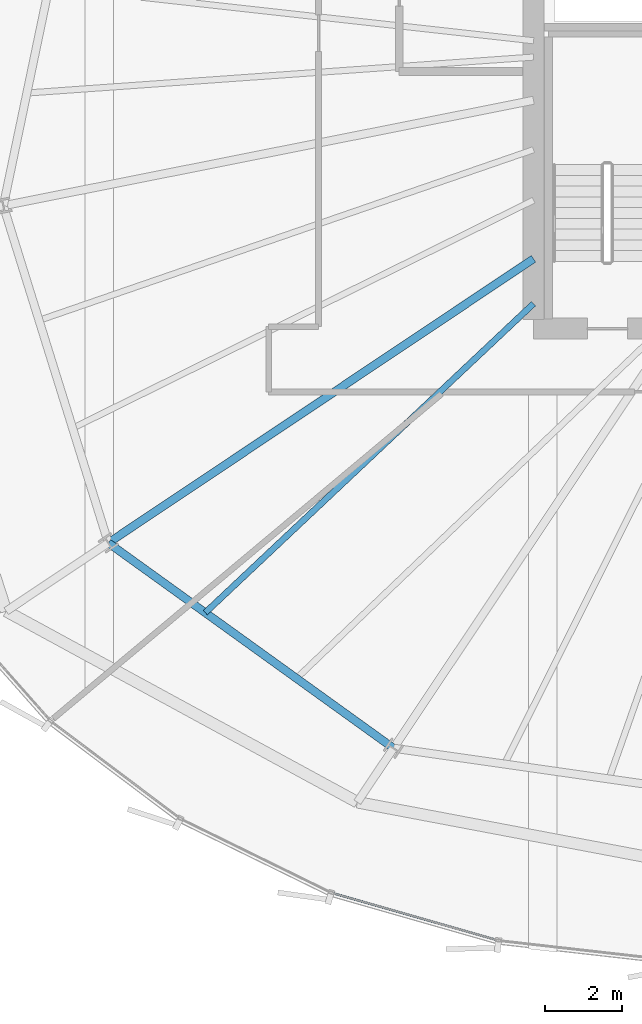
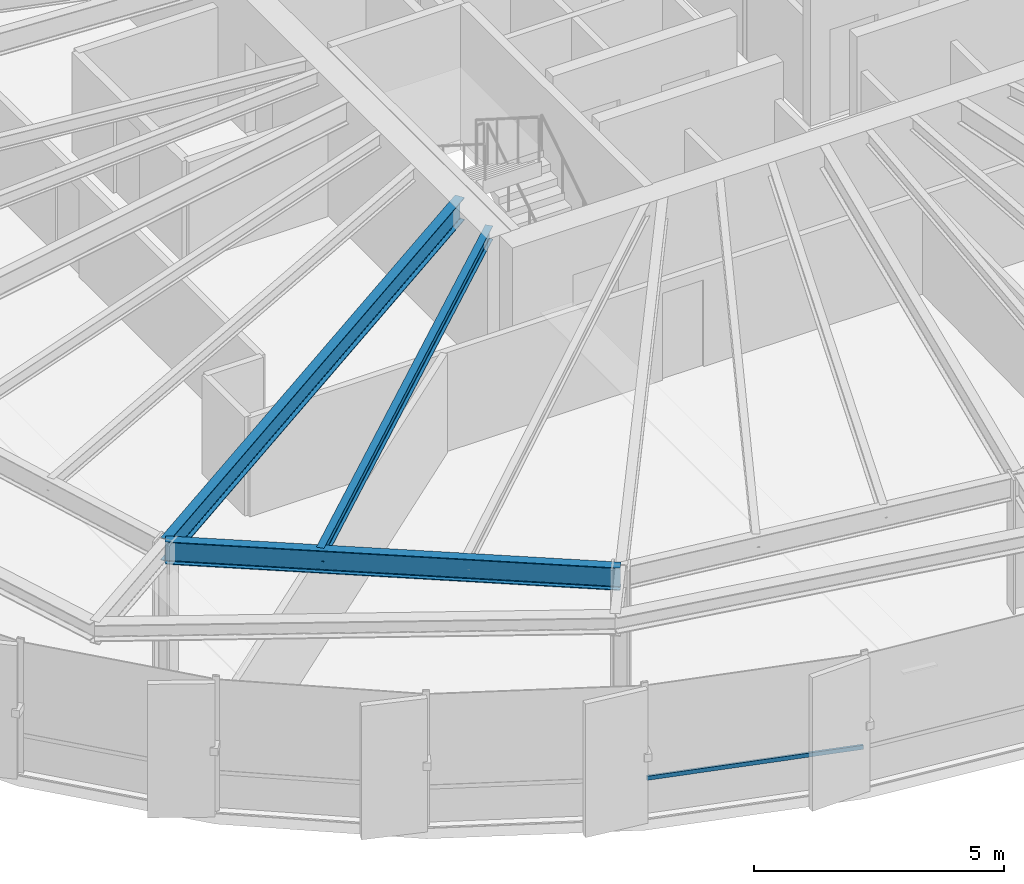
# One storey, part 4 of 34: 3 beams, 1 member, 1 element without a shape of its own.
"""IFC4 building model written with IfcOpenShell, lengths in metres."""

import ifcopenshell
import ifcopenshell.guid

model = None  # the IFC model being written
_history = None  # IfcOwnerHistory: only IFC2X3 demands one
_inside = {}  # id of a spatial element -> (the spatial element, [elements in it])
_under = {}  # id of a project, library or spatial element -> (it, [spatial elements below it])
_declared = {}  # id of a project -> (the project, [libraries it declares])
_typed = {}  # id of a type object -> (the type object, [elements of that type])
_made_of = {}  # id of a material, layer set ... -> (it, [elements and type objects made of it])


def new_model(schema):
    """Start an empty IFC model of exactly this schema.

    Asked for "IFC4X3", IfcOpenShell would pick the latest addendum, in which some entities
    have other attributes; the version numbers below select the first issue.
    IFC2X3 requires an IfcOwnerHistory on every rooted entity: one is made here for all.
    """
    global model, _history
    if schema == "IFC4X3":
        model = ifcopenshell.file(schema_version=(4, 3, 0, 0))
    else:
        model = ifcopenshell.file(schema=schema)
    _inside.clear()
    _under.clear()
    _declared.clear()
    _typed.clear()
    _made_of.clear()
    _history = None
    if model.schema == "IFC2X3":
        org = make("IfcOrganization", Name="unknown")
        user = make(
            "IfcPersonAndOrganization",
            ThePerson=make("IfcPerson", FamilyName="unknown"),
            TheOrganization=org,
        )
        app = make(
            "IfcApplication",
            ApplicationDeveloper=org,
            Version="unknown",
            ApplicationFullName="unknown",
            ApplicationIdentifier="unknown",
        )
        _history = make(
            "IfcOwnerHistory",
            OwningUser=user,
            OwningApplication=app,
            ChangeAction="ADDED",
            CreationDate=0,
        )
    return model


def make(cls, **values):
    """One entity of the class cls with the attributes given. An attribute that is None is left unset."""
    return model.create_entity(
        cls, **{name: value for name, value in values.items() if value is not None}
    )


def rooted(cls, **values):
    """An entity with a GlobalId (a new one), such as an element, a storey or a relation."""
    return make(cls, GlobalId=ifcopenshell.guid.new(), OwnerHistory=_history, **values)


def si_unit(unit_type, name, prefix=None):
    """IfcSIUnit, for example si_unit("LENGTHUNIT", "METRE", prefix="MILLI")."""
    return make("IfcSIUnit", UnitType=unit_type, Prefix=prefix, Name=name)


def assignment(units):
    """IfcUnitAssignment: the units of a project."""
    return None if units is None else make("IfcUnitAssignment", Units=units)


def point(xyz):
    """IfcCartesianPoint."""
    return None if xyz is None else make("IfcCartesianPoint", Coordinates=xyz)


def direction(xyz):
    """IfcDirection."""
    return None if xyz is None else make("IfcDirection", DirectionRatios=xyz)


def frame(location, z_axis=None, x_axis=None):
    """IfcAxis2Placement3D, a coordinate frame: its origin and axes. An axis left out is left unset."""
    return make(
        "IfcAxis2Placement3D",
        Location=point(location),
        Axis=direction(z_axis),
        RefDirection=direction(x_axis),
    )


def frame_2d(location, x_axis=None):
    """IfcAxis2Placement2D, a coordinate frame in the plane: its origin and x axis."""
    return make(
        "IfcAxis2Placement2D", Location=point(location), RefDirection=direction(x_axis)
    )


def origin():
    """The frame at (0, 0, 0) with its axes left unset."""
    return frame((0.0, 0.0, 0.0))


def origin_2d():
    """The frame at (0, 0) in the plane with its x axis left unset."""
    return frame_2d((0.0, 0.0))


def place(relative_to, where):
    """IfcLocalPlacement: puts the frame where relative to a parent placement (None: the world)."""
    return make(
        "IfcLocalPlacement", PlacementRelTo=relative_to, RelativePlacement=where
    )


def context(
    kind, dimensions, precision=None, world=None, true_north=None, identifier=None
):
    """IfcGeometricRepresentationContext, for example the 3D "Model" context."""
    return make(
        "IfcGeometricRepresentationContext",
        ContextIdentifier=identifier,
        ContextType=kind,
        CoordinateSpaceDimension=dimensions,
        Precision=precision,
        WorldCoordinateSystem=world,
        TrueNorth=true_north,
    )


def subcontext(parent, identifier, kind, view, scale=None):
    """IfcGeometricRepresentationSubContext, for example "Body" below "Model"."""
    return make(
        "IfcGeometricRepresentationSubContext",
        ContextIdentifier=identifier,
        ContextType=kind,
        ParentContext=parent,
        TargetScale=scale,
        TargetView=view,
    )


def project(units=None, contexts=None):
    """IfcProject with its units and contexts."""
    return rooted(
        "IfcProject",
        Name="project",
        RepresentationContexts=contexts,
        UnitsInContext=assignment(units),
    )


def spatial(cls, under=None, at=None, **own):
    """A site, building, storey or space (cls), placed at a placement, below another one or the project."""
    s = rooted(cls, ObjectPlacement=at, **own)
    if under is not None:
        _under.setdefault(under.id(), (under, []))[1].append(s)
    return s


def profile(cls, at=None, kind="AREA", **sizes):
    """A parametric profile (cls). Its sizes go by their IFC names, for example OverallWidth=200.0."""
    return make(cls, ProfileType=kind, Position=at, **sizes)


def hollow_rectangle(**sizes):
    """IfcRectangleHollowProfileDef."""
    return profile("IfcRectangleHollowProfileDef", **sizes)


def i_section(**sizes):
    """IfcIShapeProfileDef."""
    return profile("IfcIShapeProfileDef", **sizes)


def extrude(swept, where, along, depth):
    """IfcExtrudedAreaSolid: the profile swept, set in the frame where, extruded along a direction by depth."""
    return make(
        "IfcExtrudedAreaSolid",
        SweptArea=swept,
        Position=where,
        ExtrudedDirection=direction(along),
        Depth=depth,
    )


def shape(context_of_items, identifier, shape_type, items):
    """IfcShapeRepresentation: the items that make up one representation, for example the "Body"."""
    return make(
        "IfcShapeRepresentation",
        ContextOfItems=context_of_items,
        RepresentationIdentifier=identifier,
        RepresentationType=shape_type,
        Items=items,
    )


def source(mapping_origin, context_of_items, identifier, shape_type, items):
    """IfcRepresentationMap: a shape defined once, which mapped items show again and again."""
    return make(
        "IfcRepresentationMap",
        MappingOrigin=mapping_origin,
        MappedRepresentation=shape(context_of_items, identifier, shape_type, items),
    )


def transform(
    local_origin,
    x_axis=None,
    y_axis=None,
    z_axis=None,
    scale=None,
    scale2=None,
    scale3=None,
    uniform=True,
):
    """IfcCartesianTransformationOperator3D, or its non-uniform kind. x_axis, y_axis, z_axis: its Axis1, 2, 3."""
    if uniform:
        return make(
            "IfcCartesianTransformationOperator3D",
            Axis1=direction(x_axis),
            Axis2=direction(y_axis),
            LocalOrigin=point(local_origin),
            Scale=scale,
            Axis3=direction(z_axis),
        )
    return make(
        "IfcCartesianTransformationOperator3DnonUniform",
        Axis1=direction(x_axis),
        Axis2=direction(y_axis),
        LocalOrigin=point(local_origin),
        Scale=scale,
        Axis3=direction(z_axis),
        Scale2=scale2,
        Scale3=scale3,
    )


def mapped(mapping_source, mapping_target):
    """IfcMappedItem: shows the shape of a source again, moved by a transform."""
    return make(
        "IfcMappedItem", MappingSource=mapping_source, MappingTarget=mapping_target
    )


def material(Name=None, Category=None):
    """IfcMaterial."""
    return make("IfcMaterial", Name=Name, Category=Category)


def layer(
    of_material, thickness, ventilated=None, Name=None, Category=None, Priority=None
):
    """IfcMaterialLayer: one layer of a wall or slab, of a material (None: an air gap)."""
    return make(
        "IfcMaterialLayer",
        Material=of_material,
        LayerThickness=thickness,
        IsVentilated=ventilated,
        Name=Name,
        Category=Category,
        Priority=Priority,
    )


def layer_set(layers, Name=None):
    """IfcMaterialLayerSet."""
    return make("IfcMaterialLayerSet", MaterialLayers=layers, LayerSetName=Name)


def material_profile(
    of_material, cross_section, Name=None, Category=None, Priority=None
):
    """IfcMaterialProfile: a cross section and its material."""
    return make(
        "IfcMaterialProfile",
        Name=Name,
        Material=of_material,
        Profile=cross_section,
        Priority=Priority,
        Category=Category,
    )


def profile_set(profiles, Name=None, composite=None):
    """IfcMaterialProfileSet."""
    return make(
        "IfcMaterialProfileSet",
        Name=Name,
        MaterialProfiles=profiles,
        CompositeProfile=composite,
    )


def made_of(thing, what):
    """Note that an element or type object is made of a material, layer set ...; save() writes the relation."""
    if what is not None:
        _made_of.setdefault(what.id(), (what, []))[1].append(thing)
    return thing


def type_object(cls, material=None, **own):
    """A type object (cls), such as IfcWallType, which elements share."""
    return made_of(rooted(cls, **own), material)


def element(
    cls,
    number,
    at=None,
    inside=None,
    cuts=None,
    type_object=None,
    material=None,
    context=None,
    identifier="Body",
    shape_type=None,
    held_by="IfcProductDefinitionShape",
    body=None,
    shapes=None,
    **own,
):
    """One element of the class cls, such as IfcWall. Its Tag is "e" and its number.

    at: its placement. inside: the storey or other place that contains it. cuts: it is an
    opening in that element (IfcRelVoidsElement). A single representation is given by context,
    identifier, shape_type and body (its items); several are given by shapes. held_by: the class
    of the entity that holds the representations. save() writes the other relations.
    """
    e = rooted(cls, Tag="e%d" % number, ObjectPlacement=at, **own)
    if body is not None:
        shapes = [shape(context, identifier, shape_type, body)]
    if shapes is not None:
        e.Representation = make(held_by, Representations=shapes)
    if inside is not None:
        _inside.setdefault(inside.id(), (inside, []))[1].append(e)
    if cuts is not None:
        rooted(
            "IfcRelVoidsElement", RelatingBuildingElement=cuts, RelatedOpeningElement=e
        )
    if type_object is not None:
        _typed.setdefault(type_object.id(), (type_object, []))[1].append(e)
    return made_of(e, material)


def aggregate(whole, parts):
    """IfcRelAggregates: a whole, such as a stair, and the parts it consists of."""
    return rooted("IfcRelAggregates", RelatingObject=whole, RelatedObjects=parts)


def save(model, path):
    """Write the relations noted so far, then the file.

    IfcRelAggregates (storeys below a building ...), IfcRelContainedInSpatialStructure (elements
    in a storey), IfcRelDefinesByType, IfcRelAssociatesMaterial and IfcRelDeclares: one each for
    every whole, place, type object, material and project.
    """
    for whole, parts in _under.values():
        aggregate(whole, parts)
    for where, things in _inside.values():
        rooted(
            "IfcRelContainedInSpatialStructure",
            RelatedElements=things,
            RelatingStructure=where,
        )
    for kind, things in _typed.values():
        rooted("IfcRelDefinesByType", RelatedObjects=things, RelatingType=kind)
    for what, things in _made_of.values():
        rooted("IfcRelAssociatesMaterial", RelatedObjects=things, RelatingMaterial=what)
    for by, libraries in _declared.values():
        rooted("IfcRelDeclares", RelatingContext=by, RelatedDefinitions=libraries)
    model.write(path)


model = new_model("IFC4")

# Units and contexts
model_context = context("Model", 3, precision=1e-05, world=origin(), true_north=direction((0.0, 1.0)))
body_context = subcontext(model_context, "Body", "Model", "MODEL_VIEW")
ifc_project = project(units=[si_unit("LENGTHUNIT", "METRE"), si_unit("AREAUNIT", "SQUARE_METRE"), si_unit("VOLUMEUNIT", "CUBIC_METRE"), si_unit("PLANEANGLEUNIT", "RADIAN"), si_unit("MASSUNIT", "GRAM", prefix="KILO"), si_unit("THERMODYNAMICTEMPERATUREUNIT", "KELVIN")], contexts=[model_context])

# Site, building, storey
site_placement = place(None, origin())
site = spatial("IfcSite", under=ifc_project, at=site_placement, CompositionType="ELEMENT")
building_placement = place(site_placement, origin())
building = spatial("IfcBuilding", under=site, at=building_placement, Name="Kethvar Cultural Tower", CompositionType="ELEMENT")
storey_placement = place(building_placement, frame((0.0, 0.0, 128.800048828125)))
storey = spatial("IfcBuildingStorey", under=building, at=storey_placement, Name="L32", CompositionType="ELEMENT", Elevation=128.800048828125)

# Beams
ifc_material_1 = material(Name="Steel S355J2", Category="steel")
ifc_material_profile_1 = material_profile(ifc_material_1, i_section(OverallWidth=0.2099609375, OverallDepth=0.550048828125, WebThickness=0.010986328125, FlangeThickness=0.01708984375, FilletRadius=0.02392578125, at=origin_2d()), Name="Steel S355J2 — IPE550")
ifc_profile_set_1 = profile_set([ifc_material_profile_1], Name="Steel S355J2 — IPE550")
beam_type_1 = type_object("IfcBeamType", Name="BM-IPE550", PredefinedType="BEAM", material=ifc_profile_set_1)
shared_shape_1 = source(origin(), body_context, "Body", "SweptSolid", [
    extrude(i_section(OverallWidth=0.2099609375, OverallDepth=0.550048828125, WebThickness=0.010986328125, FlangeThickness=0.01708984375, FilletRadius=0.02392578125, at=origin_2d()), origin(), (0.0, 0.0, 1.0), 13.324951171875),
])
beam_1_placement = place(storey_placement, frame((38.0, 21.919921875, 3.02294921875), z_axis=(-0.831474815475, -0.555562445843, 0.0), x_axis=(0.555562445843, -0.831474815475, 0.0)))
element("IfcBeam", 1, at=beam_1_placement, inside=storey, type_object=beam_type_1, Name="L32 Primary Radial Beam RB-10", PredefinedType="BEAM", context=body_context, shape_type="MappedRepresentation", body=[
    mapped(shared_shape_1, transform((0.0, 0.0, 0.0), scale=1.0)),
])
shared_shape_2 = source(origin(), body_context, "Body", "SweptSolid", [
    extrude(i_section(OverallWidth=0.2099609375, OverallDepth=0.550048828125, WebThickness=0.010986328125, FlangeThickness=0.01708984375, FilletRadius=0.02392578125, at=origin_2d()), origin(), (0.0, 0.0, 1.0), 9.155029296875),
])
beam_2_placement = place(storey_placement, frame((26.920654296875, 14.51708984375, 3.02294921875), z_axis=(0.811590987974, -0.584226042076, 0.0), x_axis=(0.584226042076, 0.811590987974, 0.0)))
element("IfcBeam", 2, at=beam_2_placement, inside=storey, type_object=beam_type_1, Name="L32 Column Ring Tie Beam CR-10", PredefinedType="BEAM", context=body_context, shape_type="MappedRepresentation", body=[
    mapped(shared_shape_2, transform((0.0, 0.0, 0.0), scale=1.0)),
])
ifc_material_profile_2 = material_profile(ifc_material_1, i_section(OverallWidth=0.159912109375, OverallDepth=0.330078125, WebThickness=0.007568359375, FlangeThickness=0.011474609375, FilletRadius=0.01806640625, at=origin_2d()), Name="Steel S355J2 — IPE330")
ifc_profile_set_2 = profile_set([ifc_material_profile_2], Name="Steel S355J2 — IPE330")
beam_type_2 = type_object("IfcBeamType", Name="BM-J330", PredefinedType="JOIST", material=ifc_profile_set_2)
shared_shape_3 = source(origin(), body_context, "Body", "SweptSolid", [
    extrude(i_section(OverallWidth=0.159912109375, OverallDepth=0.330078125, WebThickness=0.007568359375, FlangeThickness=0.011474609375, FilletRadius=0.01806640625, at=origin_2d()), origin(), (0.0, 0.0, 1.0), 11.74658203125),
])
beam_3_placement = place(storey_placement, frame((38.0, 20.75, 3.133056640625), z_axis=(-0.728129818661, -0.685439251266, 0.0), x_axis=(0.685439251266, -0.728129818661, 0.0)))
element("IfcBeam", 3, at=beam_3_placement, inside=storey, type_object=beam_type_2, Name="L32 Composite Floor Joist J-10A", PredefinedType="JOIST", context=body_context, shape_type="MappedRepresentation", body=[
    mapped(shared_shape_3, transform((0.0, 0.0, 0.0), scale=1.0)),
])

# Curtain wall, member
ifc_material_2 = material(Name="Aluminium 6063-T6", Category="aluminium")
ifc_layer = layer(ifc_material_2, 0.179931640625, Name="Aluminium 6063-T6", Category="aluminium")
ifc_layer_set = layer_set([ifc_layer], Name="Aluminium 6063-T6 (180 mm)")
curtain_wall_type = type_object("IfcCurtainWallType", Name="CW-SYS-04-Z34", PredefinedType="NOTDEFINED", material=ifc_layer_set)
curtain_wall_placement = place(storey_placement, origin())
curtain_wall = element("IfcCurtainWall", 4, at=curtain_wall_placement, inside=storey, type_object=curtain_wall_type, Name="L32 Curtain Wall Run 04", PredefinedType="NOTDEFINED")
ifc_material_profile_3 = material_profile(ifc_material_2, hollow_rectangle(XDim=0.050048828125, YDim=0.10009765625, WallThickness=0.00390625, at=origin_2d()), Name="Aluminium 6063-T6 — RHS100x50x4")
ifc_profile_set_3 = profile_set([ifc_material_profile_3], Name="Aluminium 6063-T6 — RHS100x50x4")
member_type = type_object("IfcMemberType", Name="CW-SYS-04-Z34-TRN", PredefinedType="USERDEFINED", material=ifc_profile_set_3)
shared_shape_4 = source(origin(), body_context, "Body", "SweptSolid", [
    extrude(hollow_rectangle(XDim=0.050048828125, YDim=0.10009765625, WallThickness=0.00390625, at=origin_2d()), origin(), (0.0, 0.0, 1.0), 4.4658203125),
])
member_placement = place(storey_placement, frame((32.768798828125, 5.391845703125, 0.949951171875), z_axis=(0.961526010611, -0.274713907398, 0.0), x_axis=(0.274713907398, 0.961526010611, 0.0)))
member = element("IfcMember", 5, at=member_placement, type_object=member_type, Name="CW-L32-R04 Transom 5", ObjectType="TRANSOM", PredefinedType="USERDEFINED", context=body_context, shape_type="MappedRepresentation", body=[
    mapped(shared_shape_4, transform((0.0, 0.0, 0.0), scale=1.0)),
])
aggregate(curtain_wall, [member])

save(model, "model.ifc")
